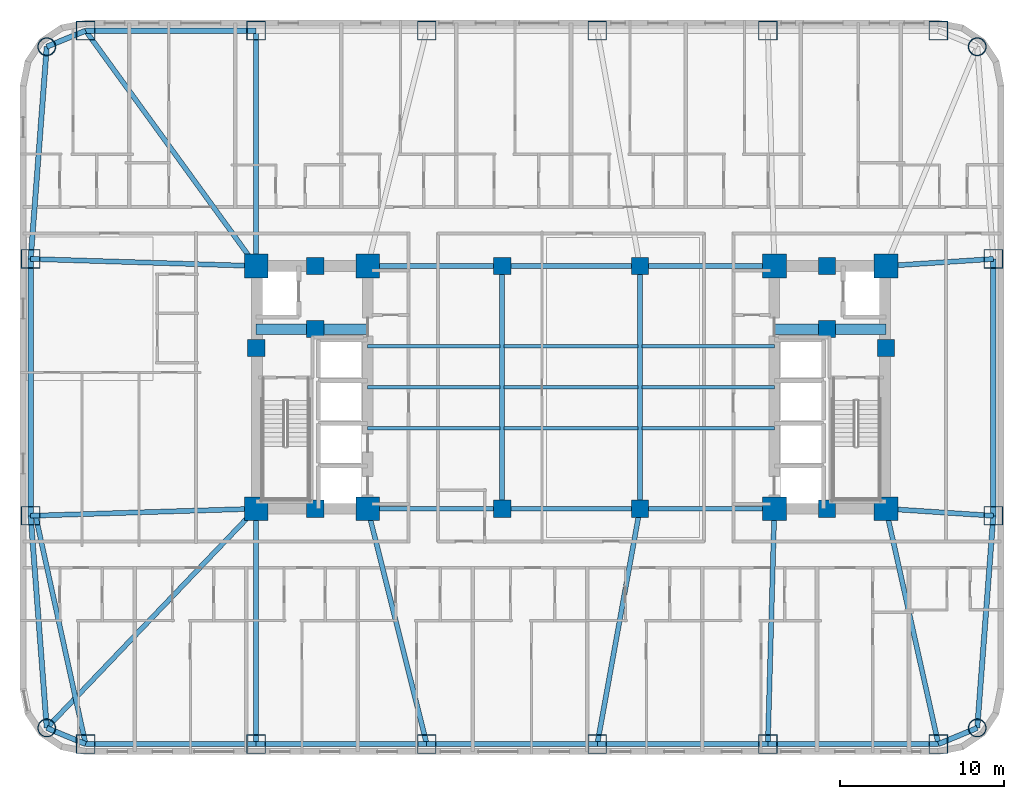
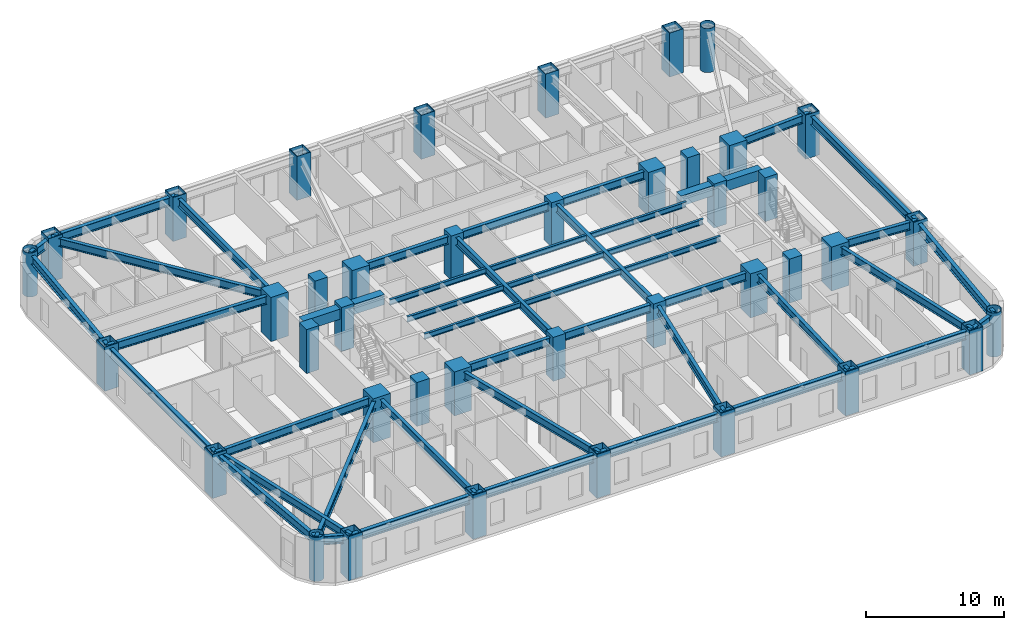
# One storey, part 1 of 12: 46 beams, 40 columns.
"""IFC4 building model written with IfcOpenShell, lengths in metres."""

from ifc_helpers import new_model, si_unit, direction, frame, origin, origin_2d, place, context, subcontext, project, spatial, rectangle, hollow_rectangle, hollow_circle, i_section, extrude, material, material_profile, profile_set, type_object, element, save


model = new_model("IFC4")

# Units and contexts
model_context = context("Model", 3, precision=1e-05, world=origin(), true_north=direction((0.0, 1.0)))
body_context = subcontext(model_context, "Body", "Model", "MODEL_VIEW")
ifc_project = project(units=[si_unit("LENGTHUNIT", "METRE"), si_unit("AREAUNIT", "SQUARE_METRE"), si_unit("VOLUMEUNIT", "CUBIC_METRE"), si_unit("PLANEANGLEUNIT", "RADIAN"), si_unit("MASSUNIT", "GRAM", prefix="KILO")], contexts=[model_context])

# Site, building, storey
site_placement = place(None, origin())
site = spatial("IfcSite", under=ifc_project, at=site_placement, CompositionType="ELEMENT")
building_placement = place(site_placement, origin())
building = spatial("IfcBuilding", under=site, at=building_placement, Name="Voryun Gate Residences", CompositionType="ELEMENT")
storey_placement = place(building_placement, frame((0.0, 0.0, 65.0)))
storey = spatial("IfcBuildingStorey", under=building, at=storey_placement, Name="L15", CompositionType="ELEMENT", Elevation=65.0)

# Columns
ifc_material_1 = material(Name="Concrete C50/60", Category="concrete")
ifc_material_profile_1 = material_profile(ifc_material_1, rectangle(XDim=1.050048828125, YDim=1.050048828125, at=origin_2d()), Name="RC-1050x1050")
ifc_profile_set_1 = profile_set([ifc_material_profile_1], Name="Concrete C50/60")
column_type_1 = type_object("IfcColumnType", Name="COL_CORE_1050", PredefinedType="COLUMN", material=ifc_profile_set_1)
for number, where, z_axis, x_axis, name in (
    (1, (-19.199951171875, 2.39990234375, 0.0), (0.0, 0.0, 1.0), (1.0, 0.0, 0.0), "L15 Core boundary column WC-MW"),
    (2, (-15.60009765625, -7.39990234375, 0.0), (0.0, 0.0, 1.0), (1.0, 0.0, 0.0), "L15 Core boundary column WC-SM"),
    (3, (-15.60009765625, 7.39990234375, 0.0), (0.0, 0.0, 1.0), (1.0, 0.0, 0.0), "L15 Core boundary column WC-NM"),
    (4, (-15.60009765625, 3.550048828125, 0.0), (0.0, 0.0, 1.0), (1.0, 0.0, 0.0), "L15 Core boundary column WC-MM"),
    (5, (15.60009765625, 3.550048828125, 0.0), (0.0, 0.0, 1.0), (1.0, 0.0, 0.0), "L15 Core boundary column EC-MM"),
    (6, (15.60009765625, -7.39990234375, 0.0), (0.0, 0.0, 1.0), (1.0, 0.0, 0.0), "L15 Core boundary column EC-SM"),
    (7, (15.60009765625, 7.39990234375, 0.0), (0.0, 0.0, 1.0), (1.0, 0.0, 0.0), "L15 Core boundary column EC-NM"),
    (8, (19.199951171875, 2.39990234375, 0.0), (0.0, 0.0, 1.0), (1.0, 0.0, 0.0), "L15 Core boundary column EC-ME"),
    (9, (-4.199951171875, -7.39990234375, 0.0), (0.0, 0.0, 1.0), (1.0, 0.0, 0.0), "L15 Interior spine column SP-WS"),
    (10, (-4.199951171875, 7.39990234375, 0.0), (0.0, 0.0, 1.0), (1.0, 0.0, 0.0), "L15 Interior spine column SP-WN"),
    (11, (4.199951171875, -7.39990234375, 0.0), (0.0, 0.0, 1.0), (1.0, 0.0, 0.0), "L15 Interior spine column SP-ES"),
    (12, (4.199951171875, 7.39990234375, 0.0), (0.0, 0.0, 1.0), (1.0, 0.0, 0.0), "L15 Interior spine column SP-EN"),
):
    element("IfcColumn", number, at=place(storey_placement, frame(where, z_axis=z_axis, x_axis=x_axis)), inside=storey, type_object=column_type_1, Name=name, PredefinedType="COLUMN", context=body_context, shape_type="SweptSolid", body=[
        extrude(rectangle(XDim=1.050048828125, YDim=1.050048828125, at=origin_2d()), origin(), (0.0, 0.0, 1.0), 3.89990234375),
    ])
ifc_material_2 = material(Name="Steel SM420", Category="steel")
ifc_material_profile_2 = material_profile(ifc_material_2, hollow_circle(Radius=0.550048828125, WallThickness=0.035888671875, at=origin_2d()), Name="CHS-1100x36")
ifc_profile_set_2 = profile_set([ifc_material_profile_2], Name="Steel SM420")
column_type_2 = type_object("IfcColumnType", Name="COL_CRN_1100", PredefinedType="COLUMN", material=ifc_profile_set_2)
for number, where, z_axis, x_axis, name in (
    (13, (24.768798828125, -20.768798828125, 0.0), (0.0, 0.0, 1.0), (1.0, 0.0, 0.0), "L15 Exoskeleton column CSE"),
    (14, (24.768798828125, 20.768798828125, 0.0), (0.0, 0.0, 1.0), (1.0, 0.0, 0.0), "L15 Exoskeleton column CNE"),
    (15, (-31.96875, 20.768798828125, 0.0), (0.0, 0.0, 1.0), (1.0, 0.0, 0.0), "L15 Exoskeleton column CNW"),
    (16, (-31.96875, -20.768798828125, 0.0), (0.0, 0.0, 1.0), (1.0, 0.0, 0.0), "L15 Exoskeleton column CSW"),
):
    element("IfcColumn", number, at=place(storey_placement, frame(where, z_axis=z_axis, x_axis=x_axis)), inside=storey, type_object=column_type_2, Name=name, PredefinedType="COLUMN", context=body_context, shape_type="SweptSolid", body=[
        extrude(hollow_circle(Radius=0.550048828125, WallThickness=0.035888671875, at=origin_2d()), origin(), (0.0, 0.0, 1.0), 3.89990234375),
    ])
ifc_material_3 = material(Name="Steel SM420", Category="steel")
ifc_material_profile_3 = material_profile(ifc_material_3, hollow_rectangle(XDim=1.14990234375, YDim=1.14990234375, WallThickness=0.0400390625, at=origin_2d()), Name="BOX-1150x1150x40")
ifc_profile_set_3 = profile_set([ifc_material_profile_3], Name="Steel SM420")
column_type_3 = type_object("IfcColumnType", Name="COL_EXO_B1", PredefinedType="COLUMN", material=ifc_profile_set_3)
for number, where, z_axis, x_axis, name in (
    (17, (-29.60009765625, -21.75, 0.0), (0.0, 0.0, 1.0), (1.0, 0.0, 0.0), "L15 Exoskeleton column S1"),
    (18, (-19.199951171875, -21.75, 0.0), (0.0, 0.0, 1.0), (1.0, 0.0, 0.0), "L15 Exoskeleton column S2"),
    (19, (-8.800048828125, -21.75, 0.0), (0.0, 0.0, 1.0), (1.0, 0.0, 0.0), "L15 Exoskeleton column S3"),
    (20, (1.60009765625, -21.75, 0.0), (0.0, 0.0, 1.0), (1.0, 0.0, 0.0), "L15 Exoskeleton column S4"),
    (21, (12.0, -21.75, 0.0), (0.0, 0.0, 1.0), (1.0, 0.0, 0.0), "L15 Exoskeleton column S5"),
    (22, (22.39990234375, -21.75, 0.0), (0.0, 0.0, 1.0), (1.0, 0.0, 0.0), "L15 Exoskeleton column S6"),
    (23, (25.75, -7.830078125, 0.0), (0.0, 0.0, 1.0), (1.0, 0.0, 0.0), "L15 Exoskeleton column E1"),
    (24, (25.75, 7.830078125, 0.0), (0.0, 0.0, 1.0), (1.0, 0.0, 0.0), "L15 Exoskeleton column E2"),
    (25, (22.39990234375, 21.75, 0.0), (0.0, 0.0, 1.0), (1.0, 0.0, 0.0), "L15 Exoskeleton column N1"),
    (26, (12.0, 21.75, 0.0), (0.0, 0.0, 1.0), (1.0, 0.0, 0.0), "L15 Exoskeleton column N2"),
    (27, (1.60009765625, 21.75, 0.0), (0.0, 0.0, 1.0), (1.0, 0.0, 0.0), "L15 Exoskeleton column N3"),
    (28, (-8.800048828125, 21.75, 0.0), (0.0, 0.0, 1.0), (1.0, 0.0, 0.0), "L15 Exoskeleton column N4"),
    (29, (-19.199951171875, 21.75, 0.0), (0.0, 0.0, 1.0), (1.0, 0.0, 0.0), "L15 Exoskeleton column N5"),
    (30, (-29.60009765625, 21.75, 0.0), (0.0, 0.0, 1.0), (1.0, 0.0, 0.0), "L15 Exoskeleton column N6"),
    (31, (-32.949951171875, 7.830078125, 0.0), (0.0, 0.0, 1.0), (1.0, 0.0, 0.0), "L15 Exoskeleton column W1"),
    (32, (-32.949951171875, -7.830078125, 0.0), (0.0, 0.0, 1.0), (1.0, 0.0, 0.0), "L15 Exoskeleton column W2"),
):
    element("IfcColumn", number, at=place(storey_placement, frame(where, z_axis=z_axis, x_axis=x_axis)), inside=storey, type_object=column_type_3, Name=name, PredefinedType="COLUMN", context=body_context, shape_type="SweptSolid", body=[
        extrude(hollow_rectangle(XDim=1.14990234375, YDim=1.14990234375, WallThickness=0.0400390625, at=origin_2d()), origin(), (0.0, 0.0, 1.0), 3.89990234375),
    ])
ifc_material_4 = material(Name="Concrete C60/75", Category="concrete")
ifc_material_profile_4 = material_profile(ifc_material_4, rectangle(XDim=1.449951171875, YDim=1.449951171875, at=origin_2d()), Name="RC-1450x1450")
ifc_profile_set_4 = profile_set([ifc_material_profile_4], Name="Concrete C60/75")
column_type_4 = type_object("IfcColumnType", Name="COL_MEGA_1450", PredefinedType="COLUMN", material=ifc_profile_set_4)
for number, where, z_axis, x_axis, name in (
    (33, (-19.199951171875, -7.39990234375, 0.0), (0.0, 0.0, 1.0), (1.0, 0.0, 0.0), "L15 Core boundary column WC-SW"),
    (34, (-19.199951171875, 7.39990234375, 0.0), (0.0, 0.0, 1.0), (1.0, 0.0, 0.0), "L15 Core boundary column WC-NW"),
    (35, (-12.39990234375, -7.39990234375, 0.0), (0.0, 0.0, 1.0), (1.0, 0.0, 0.0), "L15 Core boundary column WC-SE"),
    (36, (-12.39990234375, 7.39990234375, 0.0), (0.0, 0.0, 1.0), (1.0, 0.0, 0.0), "L15 Core boundary column WC-NE"),
    (37, (12.39990234375, -7.39990234375, 0.0), (0.0, 0.0, 1.0), (1.0, 0.0, 0.0), "L15 Core boundary column EC-SW"),
    (38, (12.39990234375, 7.39990234375, 0.0), (0.0, 0.0, 1.0), (1.0, 0.0, 0.0), "L15 Core boundary column EC-NW"),
    (39, (19.199951171875, -7.39990234375, 0.0), (0.0, 0.0, 1.0), (1.0, 0.0, 0.0), "L15 Core boundary column EC-SE"),
    (40, (19.199951171875, 7.39990234375, 0.0), (0.0, 0.0, 1.0), (1.0, 0.0, 0.0), "L15 Core boundary column EC-NE"),
):
    element("IfcColumn", number, at=place(storey_placement, frame(where, z_axis=z_axis, x_axis=x_axis)), inside=storey, type_object=column_type_4, Name=name, PredefinedType="COLUMN", context=body_context, shape_type="SweptSolid", body=[
        extrude(rectangle(XDim=1.449951171875, YDim=1.449951171875, at=origin_2d()), origin(), (0.0, 0.0, 1.0), 3.89990234375),
    ])

# Beams
ifc_material_5 = material(Name="Concrete C60/75", Category="concrete")
ifc_material_profile_5 = material_profile(ifc_material_5, rectangle(XDim=0.64990234375, YDim=0.89990234375, at=origin_2d()), Name="RC-650x900")
ifc_profile_set_5 = profile_set([ifc_material_profile_5], Name="Concrete C60/75")
beam_type_1 = type_object("IfcBeamType", Name="BM_COUP_RC900", PredefinedType="LINTEL", material=ifc_profile_set_5)
for number, where, z_axis, x_axis, name in (
    (41, (-19.199951171875, 3.550048828125, 3.199951171875), (1.0, 0.0, 0.0), (0.0, 1.0, 0.0), "BM-L15-WC1"),
    (42, (12.39990234375, 3.550048828125, 3.199951171875), (1.0, 0.0, 0.0), (0.0, 1.0, 0.0), "BM-L15-EC1"),
):
    element("IfcBeam", number, at=place(storey_placement, frame(where, z_axis=z_axis, x_axis=x_axis)), inside=storey, type_object=beam_type_1, Name=name, PredefinedType="LINTEL", context=body_context, shape_type="SweptSolid", body=[
        extrude(rectangle(XDim=0.64990234375, YDim=0.89990234375, at=origin_2d()), origin(), (0.0, 0.0, 1.0), 6.800048828125),
    ])
ifc_material_6 = material(Name="Steel SM355", Category="steel")
ifc_material_profile_6 = material_profile(ifc_material_6, i_section(OverallWidth=0.320068359375, OverallDepth=0.75, WebThickness=0.01611328125, FlangeThickness=0.028076171875, FilletRadius=0.01806640625, at=origin_2d()), Name="H-750x320x16x28")
ifc_profile_set_6 = profile_set([ifc_material_profile_6], Name="Steel SM355")
beam_type_2 = type_object("IfcBeamType", Name="BM_EXO_SPANDREL_L", PredefinedType="SPANDREL", material=ifc_profile_set_6)
beam_1_placement = place(storey_placement, frame((-29.60009765625, -21.75, 3.27490234375), z_axis=(1.0, 0.0, 0.0), x_axis=(0.0, 1.0, 0.0)))
element("IfcBeam", 43, at=beam_1_placement, inside=storey, type_object=beam_type_2, Name="BM-L15-SPAND-01", PredefinedType="SPANDREL", context=body_context, shape_type="SweptSolid", body=[
    extrude(i_section(OverallWidth=0.320068359375, OverallDepth=0.75, WebThickness=0.01611328125, FlangeThickness=0.028076171875, FilletRadius=0.01806640625, at=origin_2d()), origin(), (0.0, 0.0, 1.0), 10.400146484375),
])
beam_2_placement = place(storey_placement, frame((-19.199951171875, -21.75, 3.27490234375), z_axis=(1.0, 0.0, 0.0), x_axis=(0.0, 1.0, 0.0)))
element("IfcBeam", 44, at=beam_2_placement, inside=storey, type_object=beam_type_2, Name="BM-L15-SPAND-02", PredefinedType="SPANDREL", context=body_context, shape_type="SweptSolid", body=[
    extrude(i_section(OverallWidth=0.320068359375, OverallDepth=0.75, WebThickness=0.01611328125, FlangeThickness=0.028076171875, FilletRadius=0.01806640625, at=origin_2d()), origin(), (0.0, 0.0, 1.0), 10.39990234375),
])
beam_3_placement = place(storey_placement, frame((-8.800048828125, -21.75, 3.27490234375), z_axis=(1.0, 0.0, 0.0), x_axis=(0.0, 1.0, 0.0)))
element("IfcBeam", 45, at=beam_3_placement, inside=storey, type_object=beam_type_2, Name="BM-L15-SPAND-03", PredefinedType="SPANDREL", context=body_context, shape_type="SweptSolid", body=[
    extrude(i_section(OverallWidth=0.320068359375, OverallDepth=0.75, WebThickness=0.01611328125, FlangeThickness=0.028076171875, FilletRadius=0.01806640625, at=origin_2d()), origin(), (0.0, 0.0, 1.0), 10.400146484375),
])
for number, where, z_axis, x_axis, name in (
    (46, (1.60009765625, -21.75, 3.27490234375), (1.0, 0.0, 0.0), (0.0, 1.0, 0.0), "BM-L15-SPAND-04"),
    (47, (12.0, -21.75, 3.27490234375), (1.0, 0.0, 0.0), (0.0, 1.0, 0.0), "BM-L15-SPAND-05"),
):
    element("IfcBeam", number, at=place(storey_placement, frame(where, z_axis=z_axis, x_axis=x_axis)), inside=storey, type_object=beam_type_2, Name=name, PredefinedType="SPANDREL", context=body_context, shape_type="SweptSolid", body=[
        extrude(i_section(OverallWidth=0.320068359375, OverallDepth=0.75, WebThickness=0.01611328125, FlangeThickness=0.028076171875, FilletRadius=0.01806640625, at=origin_2d()), origin(), (0.0, 0.0, 1.0), 10.39990234375),
    ])
beam_4_placement = place(storey_placement, frame((22.39990234375, -21.75, 3.27490234375), z_axis=(0.923883376753, 0.382674151414, 0.0), x_axis=(-0.382674151414, 0.923883376753, 0.0)))
element("IfcBeam", 48, at=beam_4_placement, inside=storey, type_object=beam_type_2, Name="BM-L15-SPAND-06", PredefinedType="SPANDREL", context=body_context, shape_type="SweptSolid", body=[
    extrude(i_section(OverallWidth=0.320068359375, OverallDepth=0.75, WebThickness=0.01611328125, FlangeThickness=0.028076171875, FilletRadius=0.01806640625, at=origin_2d()), origin(), (0.0, 0.0, 1.0), 2.56396484375),
])
beam_5_placement = place(storey_placement, frame((24.768798828125, -20.768798828125, 3.27490234375), z_axis=(0.075617360159, 0.997136908776, 0.0), x_axis=(-0.997136908776, 0.075617360159, 0.0)))
element("IfcBeam", 49, at=beam_5_placement, inside=storey, type_object=beam_type_2, Name="BM-L15-SPAND-07", PredefinedType="SPANDREL", context=body_context, shape_type="SweptSolid", body=[
    extrude(i_section(OverallWidth=0.320068359375, OverallDepth=0.75, WebThickness=0.01611328125, FlangeThickness=0.028076171875, FilletRadius=0.01806640625, at=origin_2d()), origin(), (0.0, 0.0, 1.0), 12.975830078125),
])
beam_6_placement = place(storey_placement, frame((25.75, -7.830078125, 3.27490234375), z_axis=(0.0, 1.0, 0.0), x_axis=(-1.0, 0.0, 0.0)))
element("IfcBeam", 50, at=beam_6_placement, inside=storey, type_object=beam_type_2, Name="BM-L15-SPAND-08", PredefinedType="SPANDREL", context=body_context, shape_type="SweptSolid", body=[
    extrude(i_section(OverallWidth=0.320068359375, OverallDepth=0.75, WebThickness=0.01611328125, FlangeThickness=0.028076171875, FilletRadius=0.01806640625, at=origin_2d()), origin(), (0.0, 0.0, 1.0), 15.66015625),
])
beam_7_placement = place(storey_placement, frame((-19.199951171875, 21.75, 3.27490234375), z_axis=(-1.0, 0.0, 0.0), x_axis=(0.0, -1.0, 0.0)))
element("IfcBeam", 51, at=beam_7_placement, inside=storey, type_object=beam_type_2, Name="BM-L15-SPAND-15", PredefinedType="SPANDREL", context=body_context, shape_type="SweptSolid", body=[
    extrude(i_section(OverallWidth=0.320068359375, OverallDepth=0.75, WebThickness=0.01611328125, FlangeThickness=0.028076171875, FilletRadius=0.01806640625, at=origin_2d()), origin(), (0.0, 0.0, 1.0), 10.400146484375),
])
beam_8_placement = place(storey_placement, frame((-29.60009765625, 21.75, 3.27490234375), z_axis=(-0.92386943149, -0.382707817477, 0.0), x_axis=(0.382707817477, -0.92386943149, 0.0)))
element("IfcBeam", 52, at=beam_8_placement, inside=storey, type_object=beam_type_2, Name="BM-L15-SPAND-16", PredefinedType="SPANDREL", context=body_context, shape_type="SweptSolid", body=[
    extrude(i_section(OverallWidth=0.320068359375, OverallDepth=0.75, WebThickness=0.01611328125, FlangeThickness=0.028076171875, FilletRadius=0.01806640625, at=origin_2d()), origin(), (0.0, 0.0, 1.0), 2.563720703125),
])
beam_9_placement = place(storey_placement, frame((-31.96875, 20.768798828125, 3.27490234375), z_axis=(-0.075617360159, -0.997136908776, 0.0), x_axis=(0.997136908776, -0.075617360159, 0.0)))
element("IfcBeam", 53, at=beam_9_placement, inside=storey, type_object=beam_type_2, Name="BM-L15-SPAND-17", PredefinedType="SPANDREL", context=body_context, shape_type="SweptSolid", body=[
    extrude(i_section(OverallWidth=0.320068359375, OverallDepth=0.75, WebThickness=0.01611328125, FlangeThickness=0.028076171875, FilletRadius=0.01806640625, at=origin_2d()), origin(), (0.0, 0.0, 1.0), 12.975830078125),
])
beam_10_placement = place(storey_placement, frame((-32.949951171875, 7.830078125, 3.27490234375), z_axis=(0.0, -1.0, 0.0), x_axis=(1.0, 0.0, 0.0)))
element("IfcBeam", 54, at=beam_10_placement, inside=storey, type_object=beam_type_2, Name="BM-L15-SPAND-18", PredefinedType="SPANDREL", context=body_context, shape_type="SweptSolid", body=[
    extrude(i_section(OverallWidth=0.320068359375, OverallDepth=0.75, WebThickness=0.01611328125, FlangeThickness=0.028076171875, FilletRadius=0.01806640625, at=origin_2d()), origin(), (0.0, 0.0, 1.0), 15.66015625),
])
beam_11_placement = place(storey_placement, frame((-32.949951171875, -7.830078125, 3.27490234375), z_axis=(0.075617360159, -0.997136908776, 0.0), x_axis=(0.997136908776, 0.075617360159, 0.0)))
element("IfcBeam", 55, at=beam_11_placement, inside=storey, type_object=beam_type_2, Name="BM-L15-SPAND-19", PredefinedType="SPANDREL", context=body_context, shape_type="SweptSolid", body=[
    extrude(i_section(OverallWidth=0.320068359375, OverallDepth=0.75, WebThickness=0.01611328125, FlangeThickness=0.028076171875, FilletRadius=0.01806640625, at=origin_2d()), origin(), (0.0, 0.0, 1.0), 12.975830078125),
])
beam_12_placement = place(storey_placement, frame((-31.96875, -20.768798828125, 3.27490234375), z_axis=(0.92386943149, -0.382707817477, 0.0), x_axis=(0.382707817477, 0.92386943149, 0.0)))
element("IfcBeam", 56, at=beam_12_placement, inside=storey, type_object=beam_type_2, Name="BM-L15-SPAND-20", PredefinedType="SPANDREL", context=body_context, shape_type="SweptSolid", body=[
    extrude(i_section(OverallWidth=0.320068359375, OverallDepth=0.75, WebThickness=0.01611328125, FlangeThickness=0.028076171875, FilletRadius=0.01806640625, at=origin_2d()), origin(), (0.0, 0.0, 1.0), 2.563720703125),
])
ifc_material_7 = material(Name="Steel SM355", Category="steel")
ifc_material_profile_7 = material_profile(ifc_material_7, i_section(OverallWidth=0.300048828125, OverallDepth=0.699951171875, WebThickness=0.012939453125, FlangeThickness=0.02392578125, FilletRadius=0.01806640625, at=origin_2d()), Name="H-700x300x13x24")
ifc_profile_set_7 = profile_set([ifc_material_profile_7], Name="Steel SM355")
beam_type_3 = type_object("IfcBeamType", Name="BM_GIRD_700", PredefinedType="USERDEFINED", material=ifc_profile_set_7)
beam_13_placement = place(storey_placement, frame((-12.39990234375, -7.39990234375, 3.300048828125), z_axis=(1.0, 0.0, 0.0), x_axis=(0.0, 1.0, 0.0)))
element("IfcBeam", 57, at=beam_13_placement, inside=storey, type_object=beam_type_3, Name="BM-L15-SPG1-S", ObjectType="GIRDER", PredefinedType="USERDEFINED", context=body_context, shape_type="SweptSolid", body=[
    extrude(i_section(OverallWidth=0.300048828125, OverallDepth=0.699951171875, WebThickness=0.012939453125, FlangeThickness=0.02392578125, FilletRadius=0.01806640625, at=origin_2d()), origin(), (0.0, 0.0, 1.0), 8.199951171875),
])
beam_14_placement = place(storey_placement, frame((-4.199951171875, -7.39990234375, 3.300048828125), z_axis=(1.0, 0.0, 0.0), x_axis=(0.0, 1.0, 0.0)))
element("IfcBeam", 58, at=beam_14_placement, inside=storey, type_object=beam_type_3, Name="BM-L15-SPG2-S", ObjectType="GIRDER", PredefinedType="USERDEFINED", context=body_context, shape_type="SweptSolid", body=[
    extrude(i_section(OverallWidth=0.300048828125, OverallDepth=0.699951171875, WebThickness=0.012939453125, FlangeThickness=0.02392578125, FilletRadius=0.01806640625, at=origin_2d()), origin(), (0.0, 0.0, 1.0), 8.39990234375),
])
for number, where, z_axis, x_axis, name in (
    (59, (4.199951171875, -7.39990234375, 3.300048828125), (1.0, 0.0, 0.0), (0.0, 1.0, 0.0), "BM-L15-SPG3-S"),
    (60, (-12.39990234375, 7.39990234375, 3.300048828125), (1.0, 0.0, 0.0), (0.0, 1.0, 0.0), "BM-L15-SPG1-N"),
):
    element("IfcBeam", number, at=place(storey_placement, frame(where, z_axis=z_axis, x_axis=x_axis)), inside=storey, type_object=beam_type_3, Name=name, ObjectType="GIRDER", PredefinedType="USERDEFINED", context=body_context, shape_type="SweptSolid", body=[
        extrude(i_section(OverallWidth=0.300048828125, OverallDepth=0.699951171875, WebThickness=0.012939453125, FlangeThickness=0.02392578125, FilletRadius=0.01806640625, at=origin_2d()), origin(), (0.0, 0.0, 1.0), 8.199951171875),
    ])
beam_15_placement = place(storey_placement, frame((-4.199951171875, 7.39990234375, 3.300048828125), z_axis=(1.0, 0.0, 0.0), x_axis=(0.0, 1.0, 0.0)))
element("IfcBeam", 61, at=beam_15_placement, inside=storey, type_object=beam_type_3, Name="BM-L15-SPG2-N", ObjectType="GIRDER", PredefinedType="USERDEFINED", context=body_context, shape_type="SweptSolid", body=[
    extrude(i_section(OverallWidth=0.300048828125, OverallDepth=0.699951171875, WebThickness=0.012939453125, FlangeThickness=0.02392578125, FilletRadius=0.01806640625, at=origin_2d()), origin(), (0.0, 0.0, 1.0), 8.39990234375),
])
beam_16_placement = place(storey_placement, frame((4.199951171875, 7.39990234375, 3.300048828125), z_axis=(1.0, 0.0, 0.0), x_axis=(0.0, 1.0, 0.0)))
element("IfcBeam", 62, at=beam_16_placement, inside=storey, type_object=beam_type_3, Name="BM-L15-SPG3-N", ObjectType="GIRDER", PredefinedType="USERDEFINED", context=body_context, shape_type="SweptSolid", body=[
    extrude(i_section(OverallWidth=0.300048828125, OverallDepth=0.699951171875, WebThickness=0.012939453125, FlangeThickness=0.02392578125, FilletRadius=0.01806640625, at=origin_2d()), origin(), (0.0, 0.0, 1.0), 8.199951171875),
])
for number, where, z_axis, x_axis, name in (
    (63, (-4.199951171875, -7.39990234375, 3.300048828125), (0.0, 1.0, 0.0), (-1.0, 0.0, 0.0), "BM-L15-SPX-W"),
    (64, (4.199951171875, -7.39990234375, 3.300048828125), (0.0, 1.0, 0.0), (-1.0, 0.0, 0.0), "BM-L15-SPX-E"),
):
    element("IfcBeam", number, at=place(storey_placement, frame(where, z_axis=z_axis, x_axis=x_axis)), inside=storey, type_object=beam_type_3, Name=name, ObjectType="GIRDER", PredefinedType="USERDEFINED", context=body_context, shape_type="SweptSolid", body=[
        extrude(i_section(OverallWidth=0.300048828125, OverallDepth=0.699951171875, WebThickness=0.012939453125, FlangeThickness=0.02392578125, FilletRadius=0.01806640625, at=origin_2d()), origin(), (0.0, 0.0, 1.0), 14.7998046875),
    ])
beam_17_placement = place(storey_placement, frame((-32.64990234375, -7.830078125, 3.300048828125), z_axis=(0.214019782918, -0.976829326198, 0.0), x_axis=(0.976829326198, 0.214019782918, 0.0)))
element("IfcBeam", 65, at=beam_17_placement, inside=storey, type_object=beam_type_3, Name="BM-L15-RAD-S1", ObjectType="GIRDER", PredefinedType="USERDEFINED", context=body_context, shape_type="SweptSolid", body=[
    extrude(i_section(OverallWidth=0.300048828125, OverallDepth=0.699951171875, WebThickness=0.012939453125, FlangeThickness=0.02392578125, FilletRadius=0.01806640625, at=origin_2d()), origin(), (0.0, 0.0, 1.0), 14.25),
])
beam_18_placement = place(storey_placement, frame((-19.199951171875, -7.39990234375, 3.300048828125), z_axis=(0.0, -1.0, 0.0), x_axis=(1.0, 0.0, 0.0)))
element("IfcBeam", 66, at=beam_18_placement, inside=storey, type_object=beam_type_3, Name="BM-L15-RAD-S2", ObjectType="GIRDER", PredefinedType="USERDEFINED", context=body_context, shape_type="SweptSolid", body=[
    extrude(i_section(OverallWidth=0.300048828125, OverallDepth=0.699951171875, WebThickness=0.012939453125, FlangeThickness=0.02392578125, FilletRadius=0.01806640625, at=origin_2d()), origin(), (0.0, 0.0, 1.0), 14.35009765625),
])
beam_19_placement = place(storey_placement, frame((-12.39990234375, -7.39990234375, 3.300048828125), z_axis=(0.243319869291, -0.969946102218, 0.0), x_axis=(0.969946102218, 0.243319869291, 0.0)))
element("IfcBeam", 67, at=beam_19_placement, inside=storey, type_object=beam_type_3, Name="BM-L15-RAD-S3", ObjectType="GIRDER", PredefinedType="USERDEFINED", context=body_context, shape_type="SweptSolid", body=[
    extrude(i_section(OverallWidth=0.300048828125, OverallDepth=0.699951171875, WebThickness=0.012939453125, FlangeThickness=0.02392578125, FilletRadius=0.01806640625, at=origin_2d()), origin(), (0.0, 0.0, 1.0), 14.794677734375),
])
beam_20_placement = place(storey_placement, frame((4.199951171875, -7.39990234375, 3.300048828125), z_axis=(-0.178271088758, -0.983981411874, 0.0), x_axis=(0.983981411874, -0.178271088758, 0.0)))
element("IfcBeam", 68, at=beam_20_placement, inside=storey, type_object=beam_type_3, Name="BM-L15-RAD-S4", ObjectType="GIRDER", PredefinedType="USERDEFINED", context=body_context, shape_type="SweptSolid", body=[
    extrude(i_section(OverallWidth=0.300048828125, OverallDepth=0.699951171875, WebThickness=0.012939453125, FlangeThickness=0.02392578125, FilletRadius=0.01806640625, at=origin_2d()), origin(), (0.0, 0.0, 1.0), 14.583740234375),
])
beam_21_placement = place(storey_placement, frame((12.39990234375, -7.39990234375, 3.300048828125), z_axis=(-0.0278567548, -0.999611925305, 0.0), x_axis=(0.999611925305, -0.0278567548, 0.0)))
element("IfcBeam", 69, at=beam_21_placement, inside=storey, type_object=beam_type_3, Name="BM-L15-RAD-S5", ObjectType="GIRDER", PredefinedType="USERDEFINED", context=body_context, shape_type="SweptSolid", body=[
    extrude(i_section(OverallWidth=0.300048828125, OverallDepth=0.699951171875, WebThickness=0.012939453125, FlangeThickness=0.02392578125, FilletRadius=0.01806640625, at=origin_2d()), origin(), (0.0, 0.0, 1.0), 14.355712890625),
])
beam_22_placement = place(storey_placement, frame((19.199951171875, -7.39990234375, 3.300048828125), z_axis=(0.217645991352, -0.976027777498, 0.0), x_axis=(0.976027777498, 0.217645991352, 0.0)))
element("IfcBeam", 70, at=beam_22_placement, inside=storey, type_object=beam_type_3, Name="BM-L15-RAD-S6", ObjectType="GIRDER", PredefinedType="USERDEFINED", context=body_context, shape_type="SweptSolid", body=[
    extrude(i_section(OverallWidth=0.300048828125, OverallDepth=0.699951171875, WebThickness=0.012939453125, FlangeThickness=0.02392578125, FilletRadius=0.01806640625, at=origin_2d()), origin(), (0.0, 0.0, 1.0), 14.70263671875),
])
for number, where, z_axis, x_axis, name in (
    (71, (19.199951171875, -7.39990234375, 3.300048828125), (0.997850335415, -0.06553402255, 0.0), (0.06553402255, 0.997850335415, 0.0), "BM-L15-RAD-E1"),
    (72, (19.199951171875, 7.39990234375, 3.300048828125), (0.997850335415, 0.06553402255, 0.0), (-0.06553402255, 0.997850335415, 0.0), "BM-L15-RAD-E2"),
):
    element("IfcBeam", number, at=place(storey_placement, frame(where, z_axis=z_axis, x_axis=x_axis)), inside=storey, type_object=beam_type_3, Name=name, ObjectType="GIRDER", PredefinedType="USERDEFINED", context=body_context, shape_type="SweptSolid", body=[
        extrude(i_section(OverallWidth=0.300048828125, OverallDepth=0.699951171875, WebThickness=0.012939453125, FlangeThickness=0.02392578125, FilletRadius=0.01806640625, at=origin_2d()), origin(), (0.0, 0.0, 1.0), 6.564208984375),
    ])
beam_23_placement = place(storey_placement, frame((-19.199951171875, 7.39990234375, 3.300048828125), z_axis=(0.0, 1.0, 0.0), x_axis=(-1.0, 0.0, 0.0)))
element("IfcBeam", 73, at=beam_23_placement, inside=storey, type_object=beam_type_3, Name="BM-L15-RAD-N5", ObjectType="GIRDER", PredefinedType="USERDEFINED", context=body_context, shape_type="SweptSolid", body=[
    extrude(i_section(OverallWidth=0.300048828125, OverallDepth=0.699951171875, WebThickness=0.012939453125, FlangeThickness=0.02392578125, FilletRadius=0.01806640625, at=origin_2d()), origin(), (0.0, 0.0, 1.0), 14.35009765625),
])
beam_24_placement = place(storey_placement, frame((-19.199951171875, 7.39990234375, 3.300048828125), z_axis=(-0.586831668391, 0.80970895572, 0.0), x_axis=(-0.80970895572, -0.586831668391, 0.0)))
element("IfcBeam", 74, at=beam_24_placement, inside=storey, type_object=beam_type_3, Name="BM-L15-RAD-N6", ObjectType="GIRDER", PredefinedType="USERDEFINED", context=body_context, shape_type="SweptSolid", body=[
    extrude(i_section(OverallWidth=0.300048828125, OverallDepth=0.699951171875, WebThickness=0.012939453125, FlangeThickness=0.02392578125, FilletRadius=0.01806640625, at=origin_2d()), origin(), (0.0, 0.0, 1.0), 17.72265625),
])
for number, where, z_axis, x_axis, name in (
    (75, (-19.199951171875, 7.39990234375, 3.300048828125), (-0.999510967353, 0.031270211727, 0.0), (-0.031270211727, -0.999510967353, 0.0), "BM-L15-RAD-W1"),
    (76, (-19.199951171875, -7.39990234375, 3.300048828125), (-0.999510967353, -0.031270211727, 0.0), (0.031270211727, -0.999510967353, 0.0), "BM-L15-RAD-W2"),
):
    element("IfcBeam", number, at=place(storey_placement, frame(where, z_axis=z_axis, x_axis=x_axis)), inside=storey, type_object=beam_type_3, Name=name, ObjectType="GIRDER", PredefinedType="USERDEFINED", context=body_context, shape_type="SweptSolid", body=[
        extrude(i_section(OverallWidth=0.300048828125, OverallDepth=0.699951171875, WebThickness=0.012939453125, FlangeThickness=0.02392578125, FilletRadius=0.01806640625, at=origin_2d()), origin(), (0.0, 0.0, 1.0), 13.7568359375),
    ])
beam_25_placement = place(storey_placement, frame((-19.199951171875, -7.39990234375, 3.300048828125), z_axis=(-0.69069023987, -0.723150739852, 0.0), x_axis=(0.723150739852, -0.69069023987, 0.0)))
element("IfcBeam", 77, at=beam_25_placement, inside=storey, type_object=beam_type_3, Name="BM-L15-RAD-CSW", ObjectType="GIRDER", PredefinedType="USERDEFINED", context=body_context, shape_type="SweptSolid", body=[
    extrude(i_section(OverallWidth=0.300048828125, OverallDepth=0.699951171875, WebThickness=0.012939453125, FlangeThickness=0.02392578125, FilletRadius=0.01806640625, at=origin_2d()), origin(), (0.0, 0.0, 1.0), 18.487060546875),
])
ifc_material_8 = material(Name="Steel SM355", Category="steel")
ifc_material_profile_8 = material_profile(ifc_material_8, i_section(OverallWidth=0.199951171875, OverallDepth=0.47998046875, WebThickness=0.010009765625, FlangeThickness=0.01806640625, FilletRadius=0.01806640625, at=origin_2d()), Name="H-480x200x10x18")
ifc_profile_set_8 = profile_set([ifc_material_profile_8], Name="Steel SM355")
beam_type_4 = type_object("IfcBeamType", Name="BM_SEC_480", PredefinedType="BEAM", material=ifc_profile_set_8)
beam_26_placement = place(storey_placement, frame((-12.39990234375, -2.5, 3.409912109375), z_axis=(1.0, 0.0, 0.0), x_axis=(0.0, 1.0, 0.0)))
element("IfcBeam", 78, at=beam_26_placement, inside=storey, type_object=beam_type_4, Name="BM-L15-SEC-CS1", PredefinedType="BEAM", context=body_context, shape_type="SweptSolid", body=[
    extrude(i_section(OverallWidth=0.199951171875, OverallDepth=0.47998046875, WebThickness=0.010009765625, FlangeThickness=0.01806640625, FilletRadius=0.01806640625, at=origin_2d()), origin(), (0.0, 0.0, 1.0), 8.074951171875),
])
beam_27_placement = place(storey_placement, frame((-4.074951171875, -2.5, 3.409912109375), z_axis=(1.0, 0.0, 0.0), x_axis=(0.0, 1.0, 0.0)))
element("IfcBeam", 79, at=beam_27_placement, inside=storey, type_object=beam_type_4, Name="BM-L15-SEC-CS2", PredefinedType="BEAM", context=body_context, shape_type="SweptSolid", body=[
    extrude(i_section(OverallWidth=0.199951171875, OverallDepth=0.47998046875, WebThickness=0.010009765625, FlangeThickness=0.01806640625, FilletRadius=0.01806640625, at=origin_2d()), origin(), (0.0, 0.0, 1.0), 8.14990234375),
])
for number, where, z_axis, x_axis, name in (
    (80, (4.324951171875, -2.5, 3.409912109375), (1.0, 0.0, 0.0), (0.0, 1.0, 0.0), "BM-L15-SEC-CS3"),
    (81, (-12.39990234375, 0.0, 3.409912109375), (1.0, 0.0, 0.0), (0.0, 1.0, 0.0), "BM-L15-SEC-CM1"),
):
    element("IfcBeam", number, at=place(storey_placement, frame(where, z_axis=z_axis, x_axis=x_axis)), inside=storey, type_object=beam_type_4, Name=name, PredefinedType="BEAM", context=body_context, shape_type="SweptSolid", body=[
        extrude(i_section(OverallWidth=0.199951171875, OverallDepth=0.47998046875, WebThickness=0.010009765625, FlangeThickness=0.01806640625, FilletRadius=0.01806640625, at=origin_2d()), origin(), (0.0, 0.0, 1.0), 8.074951171875),
    ])
beam_28_placement = place(storey_placement, frame((-4.074951171875, 0.0, 3.409912109375), z_axis=(1.0, 0.0, 0.0), x_axis=(0.0, 1.0, 0.0)))
element("IfcBeam", 82, at=beam_28_placement, inside=storey, type_object=beam_type_4, Name="BM-L15-SEC-CM2", PredefinedType="BEAM", context=body_context, shape_type="SweptSolid", body=[
    extrude(i_section(OverallWidth=0.199951171875, OverallDepth=0.47998046875, WebThickness=0.010009765625, FlangeThickness=0.01806640625, FilletRadius=0.01806640625, at=origin_2d()), origin(), (0.0, 0.0, 1.0), 8.14990234375),
])
for number, where, z_axis, x_axis, name in (
    (83, (4.324951171875, 0.0, 3.409912109375), (1.0, 0.0, 0.0), (0.0, 1.0, 0.0), "BM-L15-SEC-CM3"),
    (84, (-12.39990234375, 2.5, 3.409912109375), (1.0, 0.0, 0.0), (0.0, 1.0, 0.0), "BM-L15-SEC-CN1"),
):
    element("IfcBeam", number, at=place(storey_placement, frame(where, z_axis=z_axis, x_axis=x_axis)), inside=storey, type_object=beam_type_4, Name=name, PredefinedType="BEAM", context=body_context, shape_type="SweptSolid", body=[
        extrude(i_section(OverallWidth=0.199951171875, OverallDepth=0.47998046875, WebThickness=0.010009765625, FlangeThickness=0.01806640625, FilletRadius=0.01806640625, at=origin_2d()), origin(), (0.0, 0.0, 1.0), 8.074951171875),
    ])
beam_29_placement = place(storey_placement, frame((-4.074951171875, 2.5, 3.409912109375), z_axis=(1.0, 0.0, 0.0), x_axis=(0.0, 1.0, 0.0)))
element("IfcBeam", 85, at=beam_29_placement, inside=storey, type_object=beam_type_4, Name="BM-L15-SEC-CN2", PredefinedType="BEAM", context=body_context, shape_type="SweptSolid", body=[
    extrude(i_section(OverallWidth=0.199951171875, OverallDepth=0.47998046875, WebThickness=0.010009765625, FlangeThickness=0.01806640625, FilletRadius=0.01806640625, at=origin_2d()), origin(), (0.0, 0.0, 1.0), 8.14990234375),
])
beam_30_placement = place(storey_placement, frame((4.324951171875, 2.5, 3.409912109375), z_axis=(1.0, 0.0, 0.0), x_axis=(0.0, 1.0, 0.0)))
element("IfcBeam", 86, at=beam_30_placement, inside=storey, type_object=beam_type_4, Name="BM-L15-SEC-CN3", PredefinedType="BEAM", context=body_context, shape_type="SweptSolid", body=[
    extrude(i_section(OverallWidth=0.199951171875, OverallDepth=0.47998046875, WebThickness=0.010009765625, FlangeThickness=0.01806640625, FilletRadius=0.01806640625, at=origin_2d()), origin(), (0.0, 0.0, 1.0), 8.074951171875),
])

save(model, "model.ifc")
